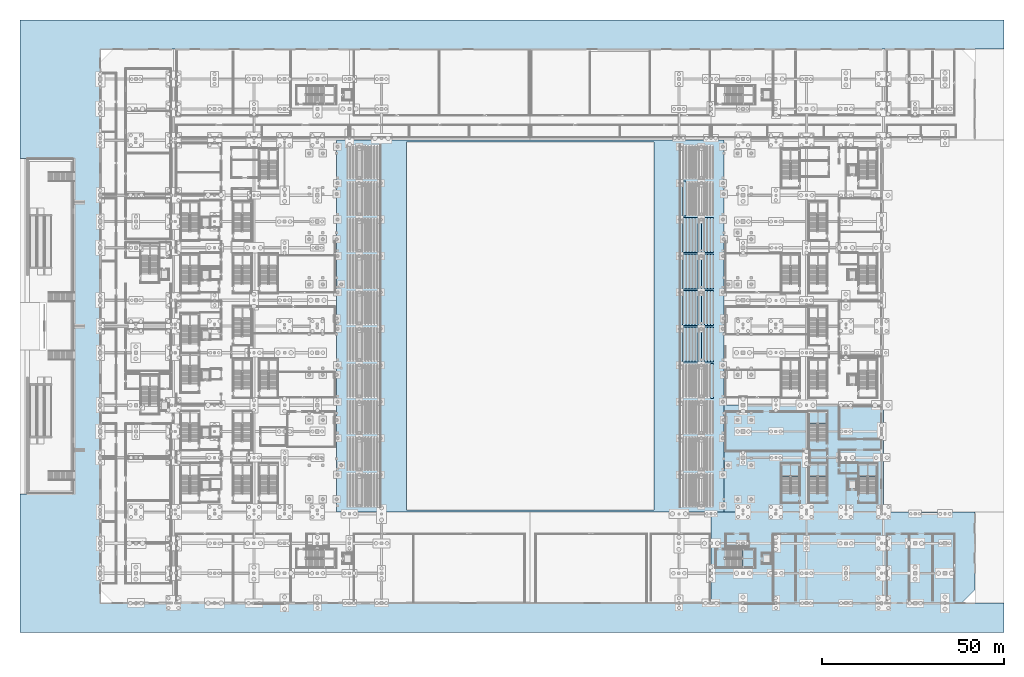
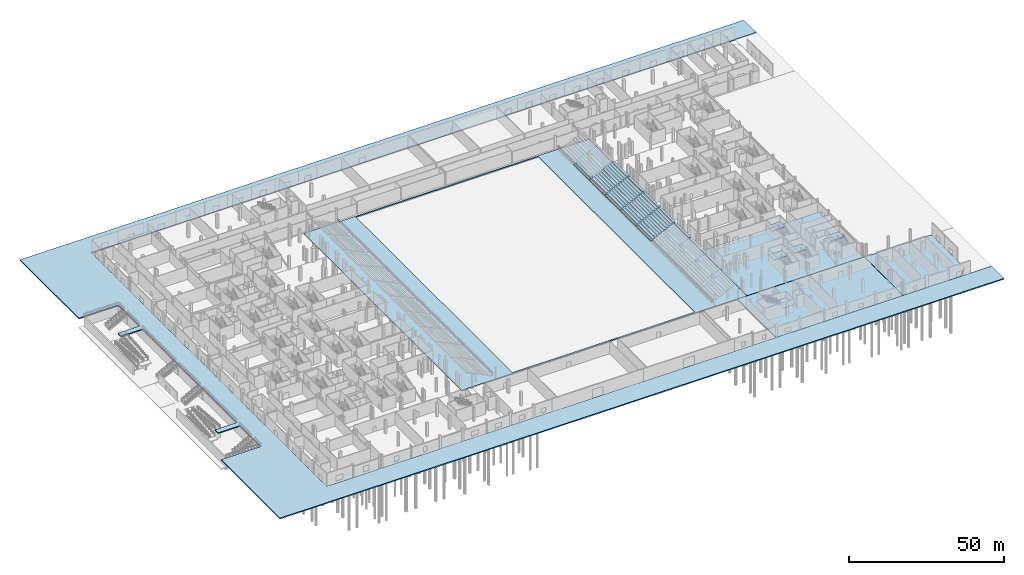
# One storey, part 26 of 89: 57 slabs, 5 elements without a shape of their own.
"""IFC4 building model written with IfcOpenShell, lengths in metres."""

from ifc_helpers import new_model, si_unit, direction, frame, origin, place, context, subcontext, project, spatial, polyline, outline, extrude, material, layer, layer_set, type_object, element, aggregate, save


model = new_model("IFC4")

# Units and contexts
model_context = context("Model", 3, precision=1e-05, world=origin(), true_north=direction((0.0, 1.0)))
body_context = subcontext(model_context, "Body", "Model", "MODEL_VIEW")
ifc_project = project(units=[si_unit("LENGTHUNIT", "METRE"), si_unit("AREAUNIT", "SQUARE_METRE"), si_unit("VOLUMEUNIT", "CUBIC_METRE"), si_unit("PLANEANGLEUNIT", "RADIAN"), si_unit("MASSUNIT", "GRAM", prefix="KILO")], contexts=[model_context])

# Site, building, storey
site_placement = place(None, origin())
site = spatial("IfcSite", under=ifc_project, at=site_placement, CompositionType="ELEMENT")
building_placement = place(site_placement, origin())
building = spatial("IfcBuilding", under=site, at=building_placement, Name="Koshinbarg Plaza Stadium", CompositionType="ELEMENT")
storey_placement = place(building_placement, origin())
storey = spatial("IfcBuildingStorey", under=building, at=storey_placement, Name="L00", CompositionType="ELEMENT", Elevation=0.0)

# Slabs
ifc_material_1 = material(Name="Concrete C35/45", Category="concrete")
ifc_layer_1 = layer(ifc_material_1, 0.39990234375)
ifc_layer_set_1 = layer_set([ifc_layer_1], Name="Concrete C35/45")
slab_type_1 = type_object("IfcSlabType", Name="SL-BASE-400", PredefinedType="BASESLAB", material=ifc_layer_set_1)
slab_1_placement = place(storey_placement, frame((0.0, 0.0, -0.39990234375)))
element("IfcSlab", 1, at=slab_1_placement, inside=storey, type_object=slab_type_1, Name="L00 V4 structural slab 17", PredefinedType="BASESLAB", context=body_context, shape_type="SweptSolid", body=[
    extrude(outline(polyline([(171.60009765625, 0.0), (218.955078125, 0.0), (218.955078125, 24.955078125), (171.60009765625, 24.955078125), (171.60009765625, 0.0)])), origin(), (0.0, 0.0, 1.0), 0.39990234375),
])
slab_2_placement = place(storey_placement, frame((0.0, 0.0, -0.39990234375)))
element("IfcSlab", 2, at=slab_2_placement, inside=storey, type_object=slab_type_1, Name="L00 V4 structural slab 18", PredefinedType="BASESLAB", context=body_context, shape_type="SweptSolid", body=[
    extrude(outline(polyline([(219.044921875, 0.0), (240.39990234375, 0.0), (244.0, 3.60009765625), (244.0, 24.955078125), (219.044921875, 24.955078125), (219.044921875, 0.0)])), origin(), (0.0, 0.0, 1.0), 0.39990234375),
])
ifc_layer_2 = layer(ifc_material_1, 0.449951171875)
ifc_layer_set_2 = layer_set([ifc_layer_2], Name="Concrete C35/45")
slab_type_2 = type_object("IfcSlabType", Name="SL-BASE-450", PredefinedType="BASESLAB", material=ifc_layer_set_2)
slab_3_placement = place(storey_placement, frame((0.0, 0.0, -0.39990234375)))
element("IfcSlab", 3, at=slab_3_placement, inside=storey, type_object=slab_type_2, Name="L00 V2 structural slab 5", PredefinedType="BASESLAB", context=body_context, shape_type="SweptSolid", body=[
    extrude(outline(polyline([(175.199951171875, 25.044921875), (218.955078125, 25.044921875), (218.955078125, 54.300048828125), (175.199951171875, 54.300048828125), (175.199951171875, 25.044921875)])), origin(), (0.0, 0.0, 1.0), 0.39990234375),
])
ifc_layer_3 = layer(ifc_material_1, 0.419921875)
ifc_layer_set_3 = layer_set([ifc_layer_3], Name="Concrete C35/45")
slab_type_3 = type_object("IfcSlabType", Name="SL-RIMDECK-270", PredefinedType="BASESLAB", material=ifc_layer_set_3)
slab_4_placement = place(storey_placement, frame((0.0, 0.0, -0.419921875)))
element("IfcSlab", 4, at=slab_4_placement, inside=storey, type_object=slab_type_3, Name="Exterior plaza paving PV-WEST-RIM", PredefinedType="BASESLAB", context=body_context, shape_type="SweptSolid", body=[
    extrude(outline(polyline([(-18.0, -8.0), (252.0, -8.0), (252.0, 0.0), (4.0, 0.0), (4.0, 152.0), (252.0, 152.0), (252.0, 160.0), (-18.0, 160.0), (-18.0, 122.0), (-3.199951171875, 122.0), (-3.199951171875, 108.39990234375), (-11.300048828125, 108.39990234375), (-11.300048828125, 106.39990234375), (-3.199951171875, 106.39990234375), (-3.199951171875, 45.60009765625), (-11.300048828125, 45.60009765625), (-11.300048828125, 43.60009765625), (-3.199951171875, 43.60009765625), (-3.199951171875, 30.0), (-18.0, 30.0), (-18.0, -8.0)])), origin(), (0.0, 0.0, 1.0), 0.419921875),
])
slab_5_placement = place(storey_placement, frame((0.0, 0.0, -0.419921875)))
element("IfcSlab", 5, at=slab_5_placement, inside=storey, type_object=slab_type_3, Name="Exterior plaza paving PV-BOWL-APRON", PredefinedType="BASESLAB", context=body_context, shape_type="SweptSolid", body=[
    extrude(outline(polyline([(68.800048828125, 24.955078125), (175.199951171875, 24.955078125), (175.199951171875, 127.044921875), (68.800048828125, 127.044921875), (68.800048828125, 24.955078125)]), holes=[polyline([(88.0, 25.5), (156.0, 25.5), (156.0, 126.5), (88.0, 126.5), (88.0, 25.5)])]), origin(), (0.0, 0.0, 1.0), 0.419921875),
])

# Stair, slab
stair_type_1 = type_object("IfcStairType", Name="ST-CORE-54", PredefinedType="HALF_TURN_STAIR", material=ifc_material_1)
stair_1_placement = place(storey_placement, origin())
stair_1 = element("IfcStair", 6, at=stair_1_placement, inside=storey, type_object=stair_type_1, Name="L00 Protected Exit Stair C07", PredefinedType="HALF_TURN_STAIR")
ifc_layer_4 = layer(ifc_material_1, 0.320068359375)
ifc_layer_set_4 = layer_set([ifc_layer_4], Name="Concrete C35/45")
slab_type_4 = type_object("IfcSlabType", Name="SL-STLAND-280", PredefinedType="LANDING", material=ifc_layer_set_4)
slab_6_placement = place(storey_placement, frame((0.0, 0.0, 2.3798828125)))
slab_6 = element("IfcSlab", 7, at=slab_6_placement, type_object=slab_type_4, Name="L00 Protected Exit Stair C07 landing 037", PredefinedType="LANDING", context=body_context, shape_type="SweptSolid", body=[
    extrude(outline(polyline([(217.070068359375, 34.760009765625), (217.070068359375, 38.199951171875), (212.199951171875, 38.199951171875), (212.199951171875, 34.760009765625), (217.070068359375, 34.760009765625)])), origin(), (0.0, 0.0, 1.0), 0.320068359375),
])
aggregate(stair_1, [slab_6])

stair_2_placement = place(storey_placement, origin())
stair_2 = element("IfcStair", 8, at=stair_2_placement, inside=storey, type_object=stair_type_1, Name="L00 Protected Exit Stair C14", PredefinedType="HALF_TURN_STAIR")
slab_7_placement = place(storey_placement, frame((0.0, 0.0, 2.3798828125)))
slab_7 = element("IfcSlab", 9, at=slab_7_placement, type_object=slab_type_4, Name="L00 Protected Exit Stair C14 landing 067", PredefinedType="LANDING", context=body_context, shape_type="SweptSolid", body=[
    extrude(outline(polyline([(180.159912109375, 9.800048828125), (183.60009765625, 9.800048828125), (183.60009765625, 14.669921875), (180.159912109375, 14.669921875), (180.159912109375, 9.800048828125)])), origin(), (0.0, 0.0, 1.0), 0.320068359375),
])
aggregate(stair_2, [slab_7])

stair_type_2 = type_object("IfcStairType", Name="ST-VOM-54", PredefinedType="HALF_TURN_STAIR", material=ifc_material_1)
stair_3_placement = place(storey_placement, origin())
stair_3 = element("IfcStair", 10, at=stair_3_placement, inside=storey, type_object=stair_type_2, Name="L00 Upper Vomitory Stair VX07", PredefinedType="HALF_TURN_STAIR")
slab_8_placement = place(storey_placement, frame((0.0, 0.0, 2.3798828125)))
slab_8 = element("IfcSlab", 11, at=slab_8_placement, type_object=slab_type_4, Name="L00 Upper Vomitory Stair VX07 landing 093", PredefinedType="LANDING", context=body_context, shape_type="SweptSolid", body=[
    extrude(outline(polyline([(203.3701171875, 34.760009765625), (203.3701171875, 38.199951171875), (198.5, 38.199951171875), (198.5, 34.760009765625), (203.3701171875, 34.760009765625)])), origin(), (0.0, 0.0, 1.0), 0.320068359375),
])
aggregate(stair_3, [slab_8])

stair_4_placement = place(storey_placement, origin())
stair_4 = element("IfcStair", 12, at=stair_4_placement, inside=storey, type_object=stair_type_2, Name="L00 Upper Vomitory Stair VX08", PredefinedType="HALF_TURN_STAIR")
slab_9_placement = place(storey_placement, frame((0.0, 0.0, 2.3798828125)))
slab_9 = element("IfcSlab", 13, at=slab_9_placement, type_object=slab_type_4, Name="L00 Upper Vomitory Stair VX08 landing 096", PredefinedType="LANDING", context=body_context, shape_type="SweptSolid", body=[
    extrude(outline(polyline([(203.3701171875, 49.159912109375), (203.3701171875, 52.60009765625), (198.5, 52.60009765625), (198.5, 49.159912109375), (203.3701171875, 49.159912109375)])), origin(), (0.0, 0.0, 1.0), 0.320068359375),
])
aggregate(stair_4, [slab_9])

stair_5_placement = place(storey_placement, origin())
stair_5 = element("IfcStair", 14, at=stair_5_placement, inside=storey, type_object=stair_type_2, Name="L00 Lower Vomitory Stair VL05", PredefinedType="HALF_TURN_STAIR")
slab_10_placement = place(storey_placement, frame((0.0, 0.0, 2.3798828125)))
slab_10 = element("IfcSlab", 15, at=slab_10_placement, type_object=slab_type_4, Name="L00 Lower Vomitory Stair VL05 landing 115", PredefinedType="LANDING", context=body_context, shape_type="SweptSolid", body=[
    extrude(outline(polyline([(195.8701171875, 34.760009765625), (195.8701171875, 38.199951171875), (191.0, 38.199951171875), (191.0, 34.760009765625), (195.8701171875, 34.760009765625)])), origin(), (0.0, 0.0, 1.0), 0.320068359375),
])
aggregate(stair_5, [slab_10])

# Slabs
ifc_material_2 = material(Name="Precast concrete C40/50", Category="concrete")
ifc_layer_5 = layer(ifc_material_2, 0.219970703125)
ifc_layer_set_5 = layer_set([ifc_layer_5], Name="Precast concrete C40/50")
slab_type_5 = type_object("IfcSlabType", Name="SL-TIER-LT", PredefinedType="USERDEFINED", material=ifc_layer_set_5)
slab_11_placement = place(storey_placement, frame((0.0, 0.0, 5.0)))
element("IfcSlab", 16, at=slab_11_placement, inside=storey, type_object=slab_type_5, Name="Stand lower seating tier LT-E04 row 11", ObjectType="SEATING TIER", PredefinedType="USERDEFINED", context=body_context, shape_type="SweptSolid", body=[
    extrude(outline(polyline([(171.5, 56.199951171875), (172.35009765625, 56.199951171875), (172.35009765625, 65.800048828125), (171.5, 65.800048828125), (171.5, 56.199951171875)])), origin(), (0.0, 0.0, 1.0), 0.219970703125),
])
slab_12_placement = place(storey_placement, frame((0.0, 0.0, 0.800048828125)))
element("IfcSlab", 17, at=slab_12_placement, inside=storey, type_object=slab_type_5, Name="Stand lower seating tier LT-E05 row 1", ObjectType="SEATING TIER", PredefinedType="USERDEFINED", context=body_context, shape_type="SweptSolid", body=[
    extrude(outline(polyline([(163.0, 66.199951171875), (163.85009765625, 66.199951171875), (163.85009765625, 75.800048828125), (163.0, 75.800048828125), (163.0, 66.199951171875)])), origin(), (0.0, 0.0, 1.0), 0.219970703125),
])
slab_13_placement = place(storey_placement, frame((0.0, 0.0, 1.219970703125)))
element("IfcSlab", 18, at=slab_13_placement, inside=storey, type_object=slab_type_5, Name="Stand lower seating tier LT-E05 row 2", ObjectType="SEATING TIER", PredefinedType="USERDEFINED", context=body_context, shape_type="SweptSolid", body=[
    extrude(outline(polyline([(163.85009765625, 66.199951171875), (164.699951171875, 66.199951171875), (164.699951171875, 75.800048828125), (163.85009765625, 75.800048828125), (163.85009765625, 66.199951171875)])), origin(), (0.0, 0.0, 1.0), 0.219970703125),
])
slab_14_placement = place(storey_placement, frame((0.0, 0.0, 1.639892578125)))
element("IfcSlab", 19, at=slab_14_placement, inside=storey, type_object=slab_type_5, Name="Stand lower seating tier LT-E05 row 3", ObjectType="SEATING TIER", PredefinedType="USERDEFINED", context=body_context, shape_type="SweptSolid", body=[
    extrude(outline(polyline([(164.699951171875, 66.199951171875), (165.550048828125, 66.199951171875), (165.550048828125, 75.800048828125), (164.699951171875, 75.800048828125), (164.699951171875, 66.199951171875)])), origin(), (0.0, 0.0, 1.0), 0.22021484375),
])
slab_15_placement = place(storey_placement, frame((0.0, 0.0, 2.06005859375)))
element("IfcSlab", 20, at=slab_15_placement, inside=storey, type_object=slab_type_5, Name="Stand lower seating tier LT-E05 row 4", ObjectType="SEATING TIER", PredefinedType="USERDEFINED", context=body_context, shape_type="SweptSolid", body=[
    extrude(outline(polyline([(165.550048828125, 66.199951171875), (166.39990234375, 66.199951171875), (166.39990234375, 75.800048828125), (165.550048828125, 75.800048828125), (165.550048828125, 66.199951171875)])), origin(), (0.0, 0.0, 1.0), 0.219970703125),
])
slab_16_placement = place(storey_placement, frame((0.0, 0.0, 2.47998046875)))
element("IfcSlab", 21, at=slab_16_placement, inside=storey, type_object=slab_type_5, Name="Stand lower seating tier LT-E05 row 5", ObjectType="SEATING TIER", PredefinedType="USERDEFINED", context=body_context, shape_type="SweptSolid", body=[
    extrude(outline(polyline([(166.39990234375, 66.199951171875), (167.25, 66.199951171875), (167.25, 75.800048828125), (166.39990234375, 75.800048828125), (166.39990234375, 66.199951171875)])), origin(), (0.0, 0.0, 1.0), 0.219970703125),
])
slab_17_placement = place(storey_placement, frame((0.0, 0.0, 2.89990234375)))
element("IfcSlab", 22, at=slab_17_placement, inside=storey, type_object=slab_type_5, Name="Stand lower seating tier LT-E05 row 6", ObjectType="SEATING TIER", PredefinedType="USERDEFINED", context=body_context, shape_type="SweptSolid", body=[
    extrude(outline(polyline([(167.25, 66.199951171875), (168.10009765625, 66.199951171875), (168.10009765625, 75.800048828125), (167.25, 75.800048828125), (167.25, 66.199951171875)])), origin(), (0.0, 0.0, 1.0), 0.22021484375),
])
slab_18_placement = place(storey_placement, frame((0.0, 0.0, 3.320068359375)))
element("IfcSlab", 23, at=slab_18_placement, inside=storey, type_object=slab_type_5, Name="Stand lower seating tier LT-E05 row 7", ObjectType="SEATING TIER", PredefinedType="USERDEFINED", context=body_context, shape_type="SweptSolid", body=[
    extrude(outline(polyline([(168.10009765625, 66.199951171875), (168.949951171875, 66.199951171875), (168.949951171875, 75.800048828125), (168.10009765625, 75.800048828125), (168.10009765625, 66.199951171875)])), origin(), (0.0, 0.0, 1.0), 0.219970703125),
])
slab_19_placement = place(storey_placement, frame((0.0, 0.0, 3.739990234375)))
element("IfcSlab", 24, at=slab_19_placement, inside=storey, type_object=slab_type_5, Name="Stand lower seating tier LT-E05 row 8", ObjectType="SEATING TIER", PredefinedType="USERDEFINED", context=body_context, shape_type="SweptSolid", body=[
    extrude(outline(polyline([(168.949951171875, 66.199951171875), (169.800048828125, 66.199951171875), (169.800048828125, 75.800048828125), (168.949951171875, 75.800048828125), (168.949951171875, 66.199951171875)])), origin(), (0.0, 0.0, 1.0), 0.219970703125),
])
slab_20_placement = place(storey_placement, frame((0.0, 0.0, 4.159912109375)))
element("IfcSlab", 25, at=slab_20_placement, inside=storey, type_object=slab_type_5, Name="Stand lower seating tier LT-E05 row 9", ObjectType="SEATING TIER", PredefinedType="USERDEFINED", context=body_context, shape_type="SweptSolid", body=[
    extrude(outline(polyline([(169.800048828125, 66.199951171875), (170.64990234375, 66.199951171875), (170.64990234375, 75.800048828125), (169.800048828125, 75.800048828125), (169.800048828125, 66.199951171875)])), origin(), (0.0, 0.0, 1.0), 0.219970703125),
])
slab_21_placement = place(storey_placement, frame((0.0, 0.0, 4.580078125)))
element("IfcSlab", 26, at=slab_21_placement, inside=storey, type_object=slab_type_5, Name="Stand lower seating tier LT-E05 row 10", ObjectType="SEATING TIER", PredefinedType="USERDEFINED", context=body_context, shape_type="SweptSolid", body=[
    extrude(outline(polyline([(170.64990234375, 66.199951171875), (171.5, 66.199951171875), (171.5, 75.800048828125), (170.64990234375, 75.800048828125), (170.64990234375, 66.199951171875)])), origin(), (0.0, 0.0, 1.0), 0.219970703125),
])
slab_22_placement = place(storey_placement, frame((0.0, 0.0, 5.0)))
element("IfcSlab", 27, at=slab_22_placement, inside=storey, type_object=slab_type_5, Name="Stand lower seating tier LT-E05 row 11", ObjectType="SEATING TIER", PredefinedType="USERDEFINED", context=body_context, shape_type="SweptSolid", body=[
    extrude(outline(polyline([(171.5, 66.199951171875), (172.35009765625, 66.199951171875), (172.35009765625, 75.800048828125), (171.5, 75.800048828125), (171.5, 66.199951171875)])), origin(), (0.0, 0.0, 1.0), 0.219970703125),
])
slab_23_placement = place(storey_placement, frame((0.0, 0.0, 0.800048828125)))
element("IfcSlab", 28, at=slab_23_placement, inside=storey, type_object=slab_type_5, Name="Stand lower seating tier LT-E06 row 1", ObjectType="SEATING TIER", PredefinedType="USERDEFINED", context=body_context, shape_type="SweptSolid", body=[
    extrude(outline(polyline([(163.0, 76.199951171875), (163.85009765625, 76.199951171875), (163.85009765625, 85.800048828125), (163.0, 85.800048828125), (163.0, 76.199951171875)])), origin(), (0.0, 0.0, 1.0), 0.219970703125),
])
slab_24_placement = place(storey_placement, frame((0.0, 0.0, 1.219970703125)))
element("IfcSlab", 29, at=slab_24_placement, inside=storey, type_object=slab_type_5, Name="Stand lower seating tier LT-E06 row 2", ObjectType="SEATING TIER", PredefinedType="USERDEFINED", context=body_context, shape_type="SweptSolid", body=[
    extrude(outline(polyline([(163.85009765625, 76.199951171875), (164.699951171875, 76.199951171875), (164.699951171875, 85.800048828125), (163.85009765625, 85.800048828125), (163.85009765625, 76.199951171875)])), origin(), (0.0, 0.0, 1.0), 0.219970703125),
])
slab_25_placement = place(storey_placement, frame((0.0, 0.0, 1.639892578125)))
element("IfcSlab", 30, at=slab_25_placement, inside=storey, type_object=slab_type_5, Name="Stand lower seating tier LT-E06 row 3", ObjectType="SEATING TIER", PredefinedType="USERDEFINED", context=body_context, shape_type="SweptSolid", body=[
    extrude(outline(polyline([(164.699951171875, 76.199951171875), (165.550048828125, 76.199951171875), (165.550048828125, 85.800048828125), (164.699951171875, 85.800048828125), (164.699951171875, 76.199951171875)])), origin(), (0.0, 0.0, 1.0), 0.22021484375),
])
slab_26_placement = place(storey_placement, frame((0.0, 0.0, 2.06005859375)))
element("IfcSlab", 31, at=slab_26_placement, inside=storey, type_object=slab_type_5, Name="Stand lower seating tier LT-E06 row 4", ObjectType="SEATING TIER", PredefinedType="USERDEFINED", context=body_context, shape_type="SweptSolid", body=[
    extrude(outline(polyline([(165.550048828125, 76.199951171875), (166.39990234375, 76.199951171875), (166.39990234375, 85.800048828125), (165.550048828125, 85.800048828125), (165.550048828125, 76.199951171875)])), origin(), (0.0, 0.0, 1.0), 0.219970703125),
])
slab_27_placement = place(storey_placement, frame((0.0, 0.0, 2.47998046875)))
element("IfcSlab", 32, at=slab_27_placement, inside=storey, type_object=slab_type_5, Name="Stand lower seating tier LT-E06 row 5", ObjectType="SEATING TIER", PredefinedType="USERDEFINED", context=body_context, shape_type="SweptSolid", body=[
    extrude(outline(polyline([(166.39990234375, 76.199951171875), (167.25, 76.199951171875), (167.25, 85.800048828125), (166.39990234375, 85.800048828125), (166.39990234375, 76.199951171875)])), origin(), (0.0, 0.0, 1.0), 0.219970703125),
])
slab_28_placement = place(storey_placement, frame((0.0, 0.0, 2.89990234375)))
element("IfcSlab", 33, at=slab_28_placement, inside=storey, type_object=slab_type_5, Name="Stand lower seating tier LT-E06 row 6", ObjectType="SEATING TIER", PredefinedType="USERDEFINED", context=body_context, shape_type="SweptSolid", body=[
    extrude(outline(polyline([(167.25, 76.199951171875), (168.10009765625, 76.199951171875), (168.10009765625, 85.800048828125), (167.25, 85.800048828125), (167.25, 76.199951171875)])), origin(), (0.0, 0.0, 1.0), 0.22021484375),
])
slab_29_placement = place(storey_placement, frame((0.0, 0.0, 3.320068359375)))
element("IfcSlab", 34, at=slab_29_placement, inside=storey, type_object=slab_type_5, Name="Stand lower seating tier LT-E06 row 7", ObjectType="SEATING TIER", PredefinedType="USERDEFINED", context=body_context, shape_type="SweptSolid", body=[
    extrude(outline(polyline([(168.10009765625, 76.199951171875), (168.949951171875, 76.199951171875), (168.949951171875, 85.800048828125), (168.10009765625, 85.800048828125), (168.10009765625, 76.199951171875)])), origin(), (0.0, 0.0, 1.0), 0.219970703125),
])
slab_30_placement = place(storey_placement, frame((0.0, 0.0, 3.739990234375)))
element("IfcSlab", 35, at=slab_30_placement, inside=storey, type_object=slab_type_5, Name="Stand lower seating tier LT-E06 row 8", ObjectType="SEATING TIER", PredefinedType="USERDEFINED", context=body_context, shape_type="SweptSolid", body=[
    extrude(outline(polyline([(168.949951171875, 76.199951171875), (169.800048828125, 76.199951171875), (169.800048828125, 85.800048828125), (168.949951171875, 85.800048828125), (168.949951171875, 76.199951171875)])), origin(), (0.0, 0.0, 1.0), 0.219970703125),
])
slab_31_placement = place(storey_placement, frame((0.0, 0.0, 4.159912109375)))
element("IfcSlab", 36, at=slab_31_placement, inside=storey, type_object=slab_type_5, Name="Stand lower seating tier LT-E06 row 9", ObjectType="SEATING TIER", PredefinedType="USERDEFINED", context=body_context, shape_type="SweptSolid", body=[
    extrude(outline(polyline([(169.800048828125, 76.199951171875), (170.64990234375, 76.199951171875), (170.64990234375, 85.800048828125), (169.800048828125, 85.800048828125), (169.800048828125, 76.199951171875)])), origin(), (0.0, 0.0, 1.0), 0.219970703125),
])
slab_32_placement = place(storey_placement, frame((0.0, 0.0, 4.580078125)))
element("IfcSlab", 37, at=slab_32_placement, inside=storey, type_object=slab_type_5, Name="Stand lower seating tier LT-E06 row 10", ObjectType="SEATING TIER", PredefinedType="USERDEFINED", context=body_context, shape_type="SweptSolid", body=[
    extrude(outline(polyline([(170.64990234375, 76.199951171875), (171.5, 76.199951171875), (171.5, 85.800048828125), (170.64990234375, 85.800048828125), (170.64990234375, 76.199951171875)])), origin(), (0.0, 0.0, 1.0), 0.219970703125),
])
slab_33_placement = place(storey_placement, frame((0.0, 0.0, 5.0)))
element("IfcSlab", 38, at=slab_33_placement, inside=storey, type_object=slab_type_5, Name="Stand lower seating tier LT-E06 row 11", ObjectType="SEATING TIER", PredefinedType="USERDEFINED", context=body_context, shape_type="SweptSolid", body=[
    extrude(outline(polyline([(171.5, 76.199951171875), (172.35009765625, 76.199951171875), (172.35009765625, 85.800048828125), (171.5, 85.800048828125), (171.5, 76.199951171875)])), origin(), (0.0, 0.0, 1.0), 0.219970703125),
])
slab_34_placement = place(storey_placement, frame((0.0, 0.0, 0.800048828125)))
element("IfcSlab", 39, at=slab_34_placement, inside=storey, type_object=slab_type_5, Name="Stand lower seating tier LT-E07 row 1", ObjectType="SEATING TIER", PredefinedType="USERDEFINED", context=body_context, shape_type="SweptSolid", body=[
    extrude(outline(polyline([(163.0, 86.199951171875), (163.85009765625, 86.199951171875), (163.85009765625, 95.800048828125), (163.0, 95.800048828125), (163.0, 86.199951171875)])), origin(), (0.0, 0.0, 1.0), 0.219970703125),
])
slab_35_placement = place(storey_placement, frame((0.0, 0.0, 1.219970703125)))
element("IfcSlab", 40, at=slab_35_placement, inside=storey, type_object=slab_type_5, Name="Stand lower seating tier LT-E07 row 2", ObjectType="SEATING TIER", PredefinedType="USERDEFINED", context=body_context, shape_type="SweptSolid", body=[
    extrude(outline(polyline([(163.85009765625, 86.199951171875), (164.699951171875, 86.199951171875), (164.699951171875, 95.800048828125), (163.85009765625, 95.800048828125), (163.85009765625, 86.199951171875)])), origin(), (0.0, 0.0, 1.0), 0.219970703125),
])
slab_36_placement = place(storey_placement, frame((0.0, 0.0, 1.639892578125)))
element("IfcSlab", 41, at=slab_36_placement, inside=storey, type_object=slab_type_5, Name="Stand lower seating tier LT-E07 row 3", ObjectType="SEATING TIER", PredefinedType="USERDEFINED", context=body_context, shape_type="SweptSolid", body=[
    extrude(outline(polyline([(164.699951171875, 86.199951171875), (165.550048828125, 86.199951171875), (165.550048828125, 95.800048828125), (164.699951171875, 95.800048828125), (164.699951171875, 86.199951171875)])), origin(), (0.0, 0.0, 1.0), 0.22021484375),
])
slab_37_placement = place(storey_placement, frame((0.0, 0.0, 2.06005859375)))
element("IfcSlab", 42, at=slab_37_placement, inside=storey, type_object=slab_type_5, Name="Stand lower seating tier LT-E07 row 4", ObjectType="SEATING TIER", PredefinedType="USERDEFINED", context=body_context, shape_type="SweptSolid", body=[
    extrude(outline(polyline([(165.550048828125, 86.199951171875), (166.39990234375, 86.199951171875), (166.39990234375, 95.800048828125), (165.550048828125, 95.800048828125), (165.550048828125, 86.199951171875)])), origin(), (0.0, 0.0, 1.0), 0.219970703125),
])
slab_38_placement = place(storey_placement, frame((0.0, 0.0, 2.47998046875)))
element("IfcSlab", 43, at=slab_38_placement, inside=storey, type_object=slab_type_5, Name="Stand lower seating tier LT-E07 row 5", ObjectType="SEATING TIER", PredefinedType="USERDEFINED", context=body_context, shape_type="SweptSolid", body=[
    extrude(outline(polyline([(166.39990234375, 86.199951171875), (167.25, 86.199951171875), (167.25, 95.800048828125), (166.39990234375, 95.800048828125), (166.39990234375, 86.199951171875)])), origin(), (0.0, 0.0, 1.0), 0.219970703125),
])
slab_39_placement = place(storey_placement, frame((0.0, 0.0, 2.89990234375)))
element("IfcSlab", 44, at=slab_39_placement, inside=storey, type_object=slab_type_5, Name="Stand lower seating tier LT-E07 row 6", ObjectType="SEATING TIER", PredefinedType="USERDEFINED", context=body_context, shape_type="SweptSolid", body=[
    extrude(outline(polyline([(167.25, 86.199951171875), (168.10009765625, 86.199951171875), (168.10009765625, 95.800048828125), (167.25, 95.800048828125), (167.25, 86.199951171875)])), origin(), (0.0, 0.0, 1.0), 0.22021484375),
])
slab_40_placement = place(storey_placement, frame((0.0, 0.0, 3.320068359375)))
element("IfcSlab", 45, at=slab_40_placement, inside=storey, type_object=slab_type_5, Name="Stand lower seating tier LT-E07 row 7", ObjectType="SEATING TIER", PredefinedType="USERDEFINED", context=body_context, shape_type="SweptSolid", body=[
    extrude(outline(polyline([(168.10009765625, 86.199951171875), (168.949951171875, 86.199951171875), (168.949951171875, 95.800048828125), (168.10009765625, 95.800048828125), (168.10009765625, 86.199951171875)])), origin(), (0.0, 0.0, 1.0), 0.219970703125),
])
slab_41_placement = place(storey_placement, frame((0.0, 0.0, 3.739990234375)))
element("IfcSlab", 46, at=slab_41_placement, inside=storey, type_object=slab_type_5, Name="Stand lower seating tier LT-E07 row 8", ObjectType="SEATING TIER", PredefinedType="USERDEFINED", context=body_context, shape_type="SweptSolid", body=[
    extrude(outline(polyline([(168.949951171875, 86.199951171875), (169.800048828125, 86.199951171875), (169.800048828125, 95.800048828125), (168.949951171875, 95.800048828125), (168.949951171875, 86.199951171875)])), origin(), (0.0, 0.0, 1.0), 0.219970703125),
])
slab_42_placement = place(storey_placement, frame((0.0, 0.0, 4.159912109375)))
element("IfcSlab", 47, at=slab_42_placement, inside=storey, type_object=slab_type_5, Name="Stand lower seating tier LT-E07 row 9", ObjectType="SEATING TIER", PredefinedType="USERDEFINED", context=body_context, shape_type="SweptSolid", body=[
    extrude(outline(polyline([(169.800048828125, 86.199951171875), (170.64990234375, 86.199951171875), (170.64990234375, 95.800048828125), (169.800048828125, 95.800048828125), (169.800048828125, 86.199951171875)])), origin(), (0.0, 0.0, 1.0), 0.219970703125),
])
slab_43_placement = place(storey_placement, frame((0.0, 0.0, 4.580078125)))
element("IfcSlab", 48, at=slab_43_placement, inside=storey, type_object=slab_type_5, Name="Stand lower seating tier LT-E07 row 10", ObjectType="SEATING TIER", PredefinedType="USERDEFINED", context=body_context, shape_type="SweptSolid", body=[
    extrude(outline(polyline([(170.64990234375, 86.199951171875), (171.5, 86.199951171875), (171.5, 95.800048828125), (170.64990234375, 95.800048828125), (170.64990234375, 86.199951171875)])), origin(), (0.0, 0.0, 1.0), 0.219970703125),
])
slab_44_placement = place(storey_placement, frame((0.0, 0.0, 5.0)))
element("IfcSlab", 49, at=slab_44_placement, inside=storey, type_object=slab_type_5, Name="Stand lower seating tier LT-E07 row 11", ObjectType="SEATING TIER", PredefinedType="USERDEFINED", context=body_context, shape_type="SweptSolid", body=[
    extrude(outline(polyline([(171.5, 86.199951171875), (172.35009765625, 86.199951171875), (172.35009765625, 95.800048828125), (171.5, 95.800048828125), (171.5, 86.199951171875)])), origin(), (0.0, 0.0, 1.0), 0.219970703125),
])
slab_45_placement = place(storey_placement, frame((0.0, 0.0, 0.800048828125)))
element("IfcSlab", 50, at=slab_45_placement, inside=storey, type_object=slab_type_5, Name="Stand lower seating tier LT-E08 row 1", ObjectType="SEATING TIER", PredefinedType="USERDEFINED", context=body_context, shape_type="SweptSolid", body=[
    extrude(outline(polyline([(163.0, 96.199951171875), (163.85009765625, 96.199951171875), (163.85009765625, 105.800048828125), (163.0, 105.800048828125), (163.0, 96.199951171875)])), origin(), (0.0, 0.0, 1.0), 0.219970703125),
])
slab_46_placement = place(storey_placement, frame((0.0, 0.0, 1.219970703125)))
element("IfcSlab", 51, at=slab_46_placement, inside=storey, type_object=slab_type_5, Name="Stand lower seating tier LT-E08 row 2", ObjectType="SEATING TIER", PredefinedType="USERDEFINED", context=body_context, shape_type="SweptSolid", body=[
    extrude(outline(polyline([(163.85009765625, 96.199951171875), (164.699951171875, 96.199951171875), (164.699951171875, 105.800048828125), (163.85009765625, 105.800048828125), (163.85009765625, 96.199951171875)])), origin(), (0.0, 0.0, 1.0), 0.219970703125),
])
slab_47_placement = place(storey_placement, frame((0.0, 0.0, 1.639892578125)))
element("IfcSlab", 52, at=slab_47_placement, inside=storey, type_object=slab_type_5, Name="Stand lower seating tier LT-E08 row 3", ObjectType="SEATING TIER", PredefinedType="USERDEFINED", context=body_context, shape_type="SweptSolid", body=[
    extrude(outline(polyline([(164.699951171875, 96.199951171875), (165.550048828125, 96.199951171875), (165.550048828125, 105.800048828125), (164.699951171875, 105.800048828125), (164.699951171875, 96.199951171875)])), origin(), (0.0, 0.0, 1.0), 0.22021484375),
])
slab_48_placement = place(storey_placement, frame((0.0, 0.0, 2.06005859375)))
element("IfcSlab", 53, at=slab_48_placement, inside=storey, type_object=slab_type_5, Name="Stand lower seating tier LT-E08 row 4", ObjectType="SEATING TIER", PredefinedType="USERDEFINED", context=body_context, shape_type="SweptSolid", body=[
    extrude(outline(polyline([(165.550048828125, 96.199951171875), (166.39990234375, 96.199951171875), (166.39990234375, 105.800048828125), (165.550048828125, 105.800048828125), (165.550048828125, 96.199951171875)])), origin(), (0.0, 0.0, 1.0), 0.219970703125),
])
slab_49_placement = place(storey_placement, frame((0.0, 0.0, 2.47998046875)))
element("IfcSlab", 54, at=slab_49_placement, inside=storey, type_object=slab_type_5, Name="Stand lower seating tier LT-E08 row 5", ObjectType="SEATING TIER", PredefinedType="USERDEFINED", context=body_context, shape_type="SweptSolid", body=[
    extrude(outline(polyline([(166.39990234375, 96.199951171875), (167.25, 96.199951171875), (167.25, 105.800048828125), (166.39990234375, 105.800048828125), (166.39990234375, 96.199951171875)])), origin(), (0.0, 0.0, 1.0), 0.219970703125),
])
slab_50_placement = place(storey_placement, frame((0.0, 0.0, 2.89990234375)))
element("IfcSlab", 55, at=slab_50_placement, inside=storey, type_object=slab_type_5, Name="Stand lower seating tier LT-E08 row 6", ObjectType="SEATING TIER", PredefinedType="USERDEFINED", context=body_context, shape_type="SweptSolid", body=[
    extrude(outline(polyline([(167.25, 96.199951171875), (168.10009765625, 96.199951171875), (168.10009765625, 105.800048828125), (167.25, 105.800048828125), (167.25, 96.199951171875)])), origin(), (0.0, 0.0, 1.0), 0.22021484375),
])
slab_51_placement = place(storey_placement, frame((0.0, 0.0, 3.320068359375)))
element("IfcSlab", 56, at=slab_51_placement, inside=storey, type_object=slab_type_5, Name="Stand lower seating tier LT-E08 row 7", ObjectType="SEATING TIER", PredefinedType="USERDEFINED", context=body_context, shape_type="SweptSolid", body=[
    extrude(outline(polyline([(168.10009765625, 96.199951171875), (168.949951171875, 96.199951171875), (168.949951171875, 105.800048828125), (168.10009765625, 105.800048828125), (168.10009765625, 96.199951171875)])), origin(), (0.0, 0.0, 1.0), 0.219970703125),
])
slab_52_placement = place(storey_placement, frame((0.0, 0.0, 3.739990234375)))
element("IfcSlab", 57, at=slab_52_placement, inside=storey, type_object=slab_type_5, Name="Stand lower seating tier LT-E08 row 8", ObjectType="SEATING TIER", PredefinedType="USERDEFINED", context=body_context, shape_type="SweptSolid", body=[
    extrude(outline(polyline([(168.949951171875, 96.199951171875), (169.800048828125, 96.199951171875), (169.800048828125, 105.800048828125), (168.949951171875, 105.800048828125), (168.949951171875, 96.199951171875)])), origin(), (0.0, 0.0, 1.0), 0.219970703125),
])
slab_53_placement = place(storey_placement, frame((0.0, 0.0, 4.159912109375)))
element("IfcSlab", 58, at=slab_53_placement, inside=storey, type_object=slab_type_5, Name="Stand lower seating tier LT-E08 row 9", ObjectType="SEATING TIER", PredefinedType="USERDEFINED", context=body_context, shape_type="SweptSolid", body=[
    extrude(outline(polyline([(169.800048828125, 96.199951171875), (170.64990234375, 96.199951171875), (170.64990234375, 105.800048828125), (169.800048828125, 105.800048828125), (169.800048828125, 96.199951171875)])), origin(), (0.0, 0.0, 1.0), 0.219970703125),
])
slab_54_placement = place(storey_placement, frame((0.0, 0.0, 4.580078125)))
element("IfcSlab", 59, at=slab_54_placement, inside=storey, type_object=slab_type_5, Name="Stand lower seating tier LT-E08 row 10", ObjectType="SEATING TIER", PredefinedType="USERDEFINED", context=body_context, shape_type="SweptSolid", body=[
    extrude(outline(polyline([(170.64990234375, 96.199951171875), (171.5, 96.199951171875), (171.5, 105.800048828125), (170.64990234375, 105.800048828125), (170.64990234375, 96.199951171875)])), origin(), (0.0, 0.0, 1.0), 0.219970703125),
])
slab_55_placement = place(storey_placement, frame((0.0, 0.0, 5.0)))
element("IfcSlab", 60, at=slab_55_placement, inside=storey, type_object=slab_type_5, Name="Stand lower seating tier LT-E08 row 11", ObjectType="SEATING TIER", PredefinedType="USERDEFINED", context=body_context, shape_type="SweptSolid", body=[
    extrude(outline(polyline([(171.5, 96.199951171875), (172.35009765625, 96.199951171875), (172.35009765625, 105.800048828125), (171.5, 105.800048828125), (171.5, 96.199951171875)])), origin(), (0.0, 0.0, 1.0), 0.219970703125),
])
slab_56_placement = place(storey_placement, frame((0.0, 0.0, 0.800048828125)))
element("IfcSlab", 61, at=slab_56_placement, inside=storey, type_object=slab_type_5, Name="Stand lower seating tier LT-E09 row 1", ObjectType="SEATING TIER", PredefinedType="USERDEFINED", context=body_context, shape_type="SweptSolid", body=[
    extrude(outline(polyline([(163.0, 106.199951171875), (163.85009765625, 106.199951171875), (163.85009765625, 115.800048828125), (163.0, 115.800048828125), (163.0, 106.199951171875)])), origin(), (0.0, 0.0, 1.0), 0.219970703125),
])
slab_57_placement = place(storey_placement, frame((0.0, 0.0, 1.219970703125)))
element("IfcSlab", 62, at=slab_57_placement, inside=storey, type_object=slab_type_5, Name="Stand lower seating tier LT-E09 row 2", ObjectType="SEATING TIER", PredefinedType="USERDEFINED", context=body_context, shape_type="SweptSolid", body=[
    extrude(outline(polyline([(163.85009765625, 106.199951171875), (164.699951171875, 106.199951171875), (164.699951171875, 115.800048828125), (163.85009765625, 115.800048828125), (163.85009765625, 106.199951171875)])), origin(), (0.0, 0.0, 1.0), 0.219970703125),
])

save(model, "model.ifc")
